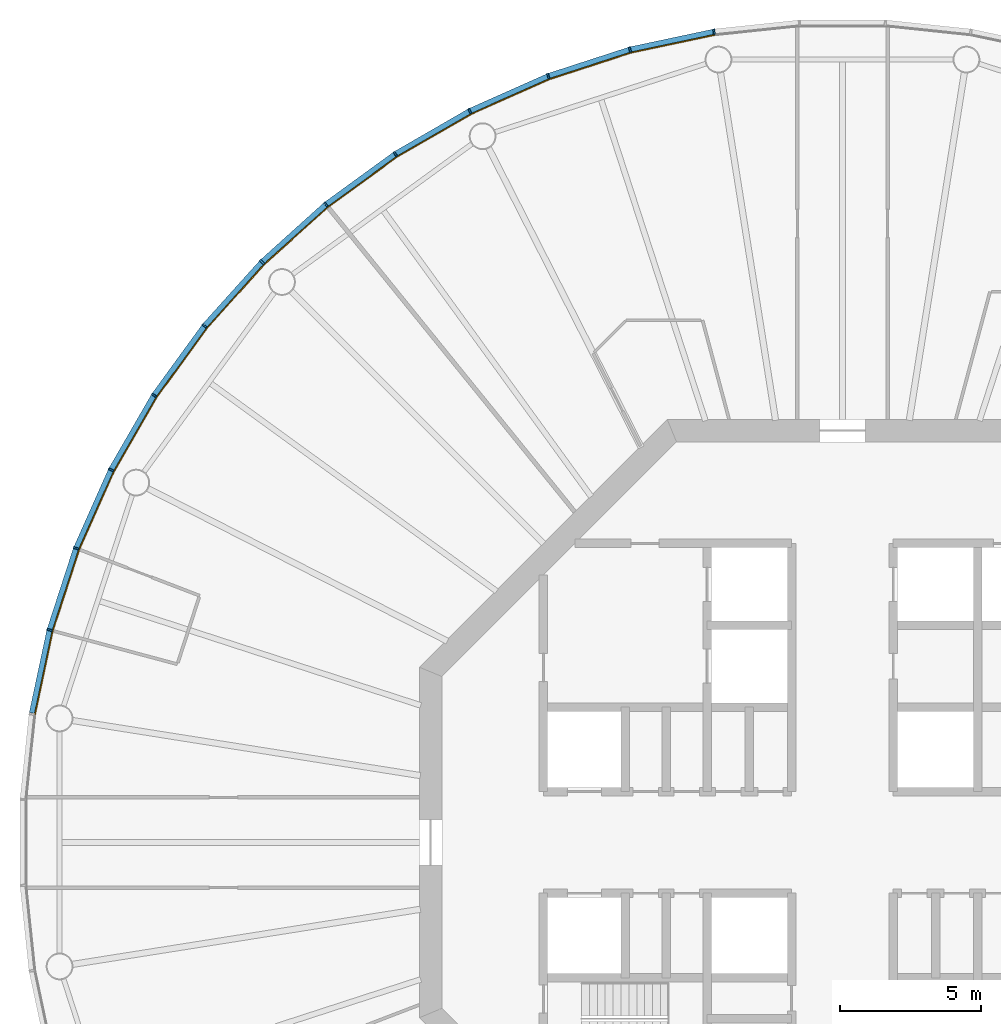
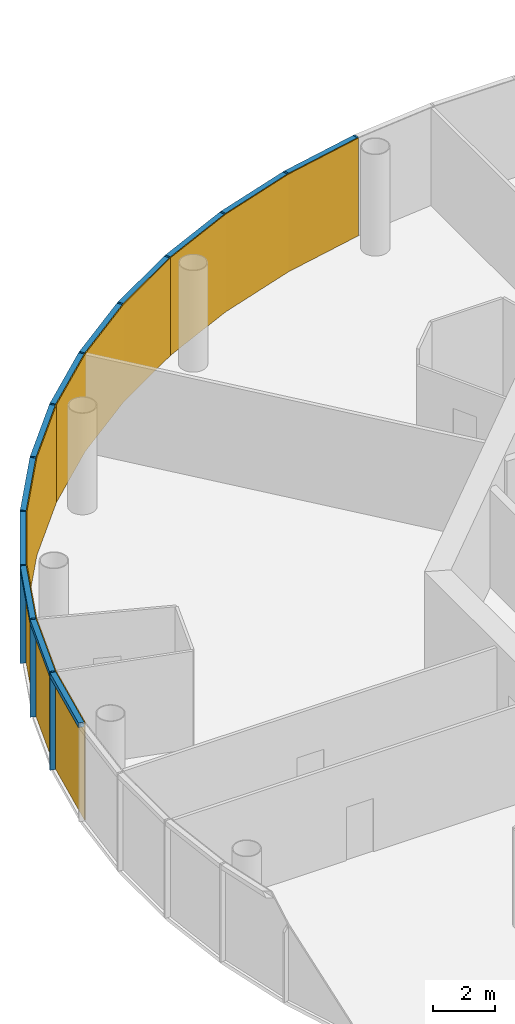
# One storey, part 10 of 13: 24 members, 4 curtain walls.
"""IFC4 building model written with IfcOpenShell, lengths in metres."""

import ifcopenshell
import ifcopenshell.guid

model = None  # the IFC model being written
_history = None  # IfcOwnerHistory: only IFC2X3 demands one
_inside = {}  # id of a spatial element -> (the spatial element, [elements in it])
_under = {}  # id of a project, library or spatial element -> (it, [spatial elements below it])
_declared = {}  # id of a project -> (the project, [libraries it declares])
_typed = {}  # id of a type object -> (the type object, [elements of that type])
_made_of = {}  # id of a material, layer set ... -> (it, [elements and type objects made of it])


def new_model(schema):
    """Start an empty IFC model of exactly this schema.

    Asked for "IFC4X3", IfcOpenShell would pick the latest addendum, in which some entities
    have other attributes; the version numbers below select the first issue.
    IFC2X3 requires an IfcOwnerHistory on every rooted entity: one is made here for all.
    """
    global model, _history
    if schema == "IFC4X3":
        model = ifcopenshell.file(schema_version=(4, 3, 0, 0))
    else:
        model = ifcopenshell.file(schema=schema)
    _inside.clear()
    _under.clear()
    _declared.clear()
    _typed.clear()
    _made_of.clear()
    _history = None
    if model.schema == "IFC2X3":
        org = make("IfcOrganization", Name="unknown")
        user = make(
            "IfcPersonAndOrganization",
            ThePerson=make("IfcPerson", FamilyName="unknown"),
            TheOrganization=org,
        )
        app = make(
            "IfcApplication",
            ApplicationDeveloper=org,
            Version="unknown",
            ApplicationFullName="unknown",
            ApplicationIdentifier="unknown",
        )
        _history = make(
            "IfcOwnerHistory",
            OwningUser=user,
            OwningApplication=app,
            ChangeAction="ADDED",
            CreationDate=0,
        )
    return model


def make(cls, **values):
    """One entity of the class cls with the attributes given. An attribute that is None is left unset."""
    return model.create_entity(
        cls, **{name: value for name, value in values.items() if value is not None}
    )


def rooted(cls, **values):
    """An entity with a GlobalId (a new one), such as an element, a storey or a relation."""
    return make(cls, GlobalId=ifcopenshell.guid.new(), OwnerHistory=_history, **values)


def si_unit(unit_type, name, prefix=None):
    """IfcSIUnit, for example si_unit("LENGTHUNIT", "METRE", prefix="MILLI")."""
    return make("IfcSIUnit", UnitType=unit_type, Prefix=prefix, Name=name)


def assignment(units):
    """IfcUnitAssignment: the units of a project."""
    return None if units is None else make("IfcUnitAssignment", Units=units)


def point(xyz):
    """IfcCartesianPoint."""
    return None if xyz is None else make("IfcCartesianPoint", Coordinates=xyz)


def direction(xyz):
    """IfcDirection."""
    return None if xyz is None else make("IfcDirection", DirectionRatios=xyz)


def frame(location, z_axis=None, x_axis=None):
    """IfcAxis2Placement3D, a coordinate frame: its origin and axes. An axis left out is left unset."""
    return make(
        "IfcAxis2Placement3D",
        Location=point(location),
        Axis=direction(z_axis),
        RefDirection=direction(x_axis),
    )


def frame_2d(location, x_axis=None):
    """IfcAxis2Placement2D, a coordinate frame in the plane: its origin and x axis."""
    return make(
        "IfcAxis2Placement2D", Location=point(location), RefDirection=direction(x_axis)
    )


def origin():
    """The frame at (0, 0, 0) with its axes left unset."""
    return frame((0.0, 0.0, 0.0))


def origin_2d():
    """The frame at (0, 0) in the plane with its x axis left unset."""
    return frame_2d((0.0, 0.0))


def place(relative_to, where):
    """IfcLocalPlacement: puts the frame where relative to a parent placement (None: the world)."""
    return make(
        "IfcLocalPlacement", PlacementRelTo=relative_to, RelativePlacement=where
    )


def context(
    kind, dimensions, precision=None, world=None, true_north=None, identifier=None
):
    """IfcGeometricRepresentationContext, for example the 3D "Model" context."""
    return make(
        "IfcGeometricRepresentationContext",
        ContextIdentifier=identifier,
        ContextType=kind,
        CoordinateSpaceDimension=dimensions,
        Precision=precision,
        WorldCoordinateSystem=world,
        TrueNorth=true_north,
    )


def subcontext(parent, identifier, kind, view, scale=None):
    """IfcGeometricRepresentationSubContext, for example "Body" below "Model"."""
    return make(
        "IfcGeometricRepresentationSubContext",
        ContextIdentifier=identifier,
        ContextType=kind,
        ParentContext=parent,
        TargetScale=scale,
        TargetView=view,
    )


def project(units=None, contexts=None):
    """IfcProject with its units and contexts."""
    return rooted(
        "IfcProject",
        Name="project",
        RepresentationContexts=contexts,
        UnitsInContext=assignment(units),
    )


def spatial(cls, under=None, at=None, **own):
    """A site, building, storey or space (cls), placed at a placement, below another one or the project."""
    s = rooted(cls, ObjectPlacement=at, **own)
    if under is not None:
        _under.setdefault(under.id(), (under, []))[1].append(s)
    return s


def polyline(points):
    """IfcPolyline through the points."""
    return make("IfcPolyline", Points=[point(p) for p in points])


def profile(cls, at=None, kind="AREA", **sizes):
    """A parametric profile (cls). Its sizes go by their IFC names, for example OverallWidth=200.0."""
    return make(cls, ProfileType=kind, Position=at, **sizes)


def rectangle(**sizes):
    """IfcRectangleProfileDef."""
    return profile("IfcRectangleProfileDef", **sizes)


def outline(outer, holes=None, kind="AREA"):
    """IfcArbitraryClosedProfileDef: a profile drawn as a closed curve; with holes, ...WithVoids."""
    if holes is None:
        return make("IfcArbitraryClosedProfileDef", ProfileType=kind, OuterCurve=outer)
    return make(
        "IfcArbitraryProfileDefWithVoids",
        ProfileType=kind,
        OuterCurve=outer,
        InnerCurves=holes,
    )


def extrude(swept, where, along, depth):
    """IfcExtrudedAreaSolid: the profile swept, set in the frame where, extruded along a direction by depth."""
    return make(
        "IfcExtrudedAreaSolid",
        SweptArea=swept,
        Position=where,
        ExtrudedDirection=direction(along),
        Depth=depth,
    )


def shape(context_of_items, identifier, shape_type, items):
    """IfcShapeRepresentation: the items that make up one representation, for example the "Body"."""
    return make(
        "IfcShapeRepresentation",
        ContextOfItems=context_of_items,
        RepresentationIdentifier=identifier,
        RepresentationType=shape_type,
        Items=items,
    )


def material(Name=None, Category=None):
    """IfcMaterial."""
    return make("IfcMaterial", Name=Name, Category=Category)


def layer(
    of_material, thickness, ventilated=None, Name=None, Category=None, Priority=None
):
    """IfcMaterialLayer: one layer of a wall or slab, of a material (None: an air gap)."""
    return make(
        "IfcMaterialLayer",
        Material=of_material,
        LayerThickness=thickness,
        IsVentilated=ventilated,
        Name=Name,
        Category=Category,
        Priority=Priority,
    )


def layer_set(layers, Name=None):
    """IfcMaterialLayerSet."""
    return make("IfcMaterialLayerSet", MaterialLayers=layers, LayerSetName=Name)


def material_profile(
    of_material, cross_section, Name=None, Category=None, Priority=None
):
    """IfcMaterialProfile: a cross section and its material."""
    return make(
        "IfcMaterialProfile",
        Name=Name,
        Material=of_material,
        Profile=cross_section,
        Priority=Priority,
        Category=Category,
    )


def profile_set(profiles, Name=None, composite=None):
    """IfcMaterialProfileSet."""
    return make(
        "IfcMaterialProfileSet",
        Name=Name,
        MaterialProfiles=profiles,
        CompositeProfile=composite,
    )


def made_of(thing, what):
    """Note that an element or type object is made of a material, layer set ...; save() writes the relation."""
    if what is not None:
        _made_of.setdefault(what.id(), (what, []))[1].append(thing)
    return thing


def type_object(cls, material=None, **own):
    """A type object (cls), such as IfcWallType, which elements share."""
    return made_of(rooted(cls, **own), material)


def element(
    cls,
    number,
    at=None,
    inside=None,
    cuts=None,
    type_object=None,
    material=None,
    context=None,
    identifier="Body",
    shape_type=None,
    held_by="IfcProductDefinitionShape",
    body=None,
    shapes=None,
    **own,
):
    """One element of the class cls, such as IfcWall. Its Tag is "e" and its number.

    at: its placement. inside: the storey or other place that contains it. cuts: it is an
    opening in that element (IfcRelVoidsElement). A single representation is given by context,
    identifier, shape_type and body (its items); several are given by shapes. held_by: the class
    of the entity that holds the representations. save() writes the other relations.
    """
    e = rooted(cls, Tag="e%d" % number, ObjectPlacement=at, **own)
    if body is not None:
        shapes = [shape(context, identifier, shape_type, body)]
    if shapes is not None:
        e.Representation = make(held_by, Representations=shapes)
    if inside is not None:
        _inside.setdefault(inside.id(), (inside, []))[1].append(e)
    if cuts is not None:
        rooted(
            "IfcRelVoidsElement", RelatingBuildingElement=cuts, RelatedOpeningElement=e
        )
    if type_object is not None:
        _typed.setdefault(type_object.id(), (type_object, []))[1].append(e)
    return made_of(e, material)


def aggregate(whole, parts):
    """IfcRelAggregates: a whole, such as a stair, and the parts it consists of."""
    return rooted("IfcRelAggregates", RelatingObject=whole, RelatedObjects=parts)


def save(model, path):
    """Write the relations noted so far, then the file.

    IfcRelAggregates (storeys below a building ...), IfcRelContainedInSpatialStructure (elements
    in a storey), IfcRelDefinesByType, IfcRelAssociatesMaterial and IfcRelDeclares: one each for
    every whole, place, type object, material and project.
    """
    for whole, parts in _under.values():
        aggregate(whole, parts)
    for where, things in _inside.values():
        rooted(
            "IfcRelContainedInSpatialStructure",
            RelatedElements=things,
            RelatingStructure=where,
        )
    for kind, things in _typed.values():
        rooted("IfcRelDefinesByType", RelatedObjects=things, RelatingType=kind)
    for what, things in _made_of.values():
        rooted("IfcRelAssociatesMaterial", RelatedObjects=things, RelatingMaterial=what)
    for by, libraries in _declared.values():
        rooted("IfcRelDeclares", RelatingContext=by, RelatedDefinitions=libraries)
    model.write(path)


model = new_model("IFC4")

# Units and contexts
model_context = context("Model", 3, precision=1e-05, world=origin(), true_north=direction((0.0, 1.0)))
body_context = subcontext(model_context, "Body", "Model", "MODEL_VIEW")
ifc_project = project(units=[si_unit("LENGTHUNIT", "METRE"), si_unit("AREAUNIT", "SQUARE_METRE"), si_unit("VOLUMEUNIT", "CUBIC_METRE"), si_unit("PLANEANGLEUNIT", "RADIAN"), si_unit("MASSUNIT", "GRAM", prefix="KILO")], contexts=[model_context])

# Member
ifc_material_1 = material(Name="Anodised aluminium", Category="aluminium")
ifc_material_profile_1 = material_profile(ifc_material_1, rectangle(XDim=0.06494140625, YDim=0.195068359375, at=origin_2d()), Name="Mullion 65 x 195 mm anodised aluminium")
ifc_profile_set_1 = profile_set([ifc_material_profile_1], Name="Anodised aluminium")
member_type_1 = type_object("IfcMemberType", Name="Mullion 65 x 195 mm anodised aluminium", PredefinedType="MULLION", material=ifc_profile_set_1)
site_placement = place(None, origin())
building_placement = place(site_placement, origin())
storey_placement = place(building_placement, frame((0.0, 0.0, 286.0)))
member_1_placement = place(storey_placement, frame((85.4482421875, 108.7392578125, 0.0), z_axis=(0.0, 0.0, 1.0), x_axis=(-0.987688340595, -0.15643446504, 0.0)))
member_1 = element("IfcMember", 1, at=member_1_placement, type_object=member_type_1, Name="MULLION L65-15", PredefinedType="MULLION", context=body_context, shape_type="SweptSolid", body=[
    extrude(rectangle(XDim=0.06494140625, YDim=0.195068359375, at=origin_2d()), origin(), (0.0, 0.0, 1.0), 3.85009765625),
])

member_2_placement = place(storey_placement, frame((82.468994140625, 108.10595703125, 0.0), z_axis=(0.0, 0.0, 1.0), x_axis=(-0.965925826289, -0.258819045103, 0.0)))
member_2 = element("IfcMember", 2, at=member_2_placement, type_object=member_type_1, Name="MULLION L65-16", PredefinedType="MULLION", context=body_context, shape_type="SweptSolid", body=[
    extrude(rectangle(XDim=0.06494140625, YDim=0.195068359375, at=origin_2d()), origin(), (0.0, 0.0, 1.0), 3.85009765625),
])

member_3_placement = place(storey_placement, frame((79.572509765625, 107.164794921875, 0.0), z_axis=(0.0, 0.0, 1.0), x_axis=(-0.933580426497, -0.358367949545, 0.0)))
member_3 = element("IfcMember", 3, at=member_3_placement, type_object=member_type_1, Name="MULLION L65-17", PredefinedType="MULLION", context=body_context, shape_type="SweptSolid", body=[
    extrude(rectangle(XDim=0.06494140625, YDim=0.195068359375, at=origin_2d()), origin(), (0.0, 0.0, 1.0), 3.85009765625),
])

member_4_placement = place(storey_placement, frame((76.7900390625, 105.926025390625, 0.0), z_axis=(0.0, 0.0, 1.0), x_axis=(-0.891006524188, -0.45399049974, 0.0)))
member_4 = element("IfcMember", 4, at=member_4_placement, type_object=member_type_1, Name="MULLION L65-18", PredefinedType="MULLION", context=body_context, shape_type="SweptSolid", body=[
    extrude(rectangle(XDim=0.06494140625, YDim=0.195068359375, at=origin_2d()), origin(), (0.0, 0.0, 1.0), 3.85009765625),
])

member_5_placement = place(storey_placement, frame((74.15234375, 104.4033203125, 0.0), z_axis=(0.0, 0.0, 1.0), x_axis=(-0.838670567945, -0.544639035015, 0.0)))
member_5 = element("IfcMember", 5, at=member_5_placement, type_object=member_type_1, Name="MULLION L65-19", PredefinedType="MULLION", context=body_context, shape_type="SweptSolid", body=[
    extrude(rectangle(XDim=0.06494140625, YDim=0.195068359375, at=origin_2d()), origin(), (0.0, 0.0, 1.0), 3.85009765625),
])

member_6_placement = place(storey_placement, frame((71.688232421875, 102.613037109375, 0.0), z_axis=(0.0, 0.0, 1.0), x_axis=(-0.777145961457, -0.62932039105, 0.0)))
member_6 = element("IfcMember", 6, at=member_6_placement, type_object=member_type_1, Name="MULLION L65-20", PredefinedType="MULLION", context=body_context, shape_type="SweptSolid", body=[
    extrude(rectangle(XDim=0.06494140625, YDim=0.195068359375, at=origin_2d()), origin(), (0.0, 0.0, 1.0), 3.85009765625),
])

member_7_placement = place(storey_placement, frame((69.425048828125, 100.574951171875, 0.0), z_axis=(0.0, 0.0, 1.0), x_axis=(-0.707106781187, -0.707106781187, 0.0)))
member_7 = element("IfcMember", 7, at=member_7_placement, type_object=member_type_1, Name="MULLION L65-21", PredefinedType="MULLION", context=body_context, shape_type="SweptSolid", body=[
    extrude(rectangle(XDim=0.06494140625, YDim=0.195068359375, at=origin_2d()), origin(), (0.0, 0.0, 1.0), 3.85009765625),
])

member_8_placement = place(storey_placement, frame((67.386962890625, 98.311767578125, 0.0), z_axis=(0.0, 0.0, 1.0), x_axis=(-0.62932039105, -0.777145961457, 0.0)))
member_8 = element("IfcMember", 8, at=member_8_placement, type_object=member_type_1, Name="MULLION L65-22", PredefinedType="MULLION", context=body_context, shape_type="SweptSolid", body=[
    extrude(rectangle(XDim=0.06494140625, YDim=0.195068359375, at=origin_2d()), origin(), (0.0, 0.0, 1.0), 3.85009765625),
])

member_9_placement = place(storey_placement, frame((65.5966796875, 95.84765625, 0.0), z_axis=(0.0, 0.0, 1.0), x_axis=(-0.544639035015, -0.838670567945, 0.0)))
member_9 = element("IfcMember", 9, at=member_9_placement, type_object=member_type_1, Name="MULLION L65-23", PredefinedType="MULLION", context=body_context, shape_type="SweptSolid", body=[
    extrude(rectangle(XDim=0.06494140625, YDim=0.195068359375, at=origin_2d()), origin(), (0.0, 0.0, 1.0), 3.85009765625),
])

member_10_placement = place(storey_placement, frame((64.073974609375, 93.2099609375, 0.0), z_axis=(0.0, 0.0, 1.0), x_axis=(-0.45399049974, -0.891006524188, 0.0)))
member_10 = element("IfcMember", 10, at=member_10_placement, type_object=member_type_1, Name="MULLION L65-24", PredefinedType="MULLION", context=body_context, shape_type="SweptSolid", body=[
    extrude(rectangle(XDim=0.06494140625, YDim=0.195068359375, at=origin_2d()), origin(), (0.0, 0.0, 1.0), 3.85009765625),
])

member_11_placement = place(storey_placement, frame((62.835205078125, 90.427490234375, 0.0), z_axis=(0.0, 0.0, 1.0), x_axis=(-0.358367949545, -0.933580426497, 0.0)))
member_11 = element("IfcMember", 11, at=member_11_placement, type_object=member_type_1, Name="MULLION L65-25", PredefinedType="MULLION", context=body_context, shape_type="SweptSolid", body=[
    extrude(rectangle(XDim=0.06494140625, YDim=0.195068359375, at=origin_2d()), origin(), (0.0, 0.0, 1.0), 3.85009765625),
])

member_12_placement = place(storey_placement, frame((61.89404296875, 87.531005859375, 0.0), z_axis=(0.0, 0.0, 1.0), x_axis=(-0.258819045103, -0.965925826289, 0.0)))
member_12 = element("IfcMember", 12, at=member_12_placement, type_object=member_type_1, Name="MULLION L65-26", PredefinedType="MULLION", context=body_context, shape_type="SweptSolid", body=[
    extrude(rectangle(XDim=0.06494140625, YDim=0.195068359375, at=origin_2d()), origin(), (0.0, 0.0, 1.0), 3.85009765625),
])

ifc_material_2 = material(Name="Anodised aluminium", Category="aluminium")
ifc_material_profile_2 = material_profile(ifc_material_2, rectangle(XDim=0.195068359375, YDim=0.179931640625, at=origin_2d()), Name="Transom 180 x 195 mm anodised aluminium")
ifc_profile_set_2 = profile_set([ifc_material_profile_2], Name="Anodised aluminium")
member_type_2 = type_object("IfcMemberType", Name="Transom 180 x 195 mm anodised aluminium", PredefinedType="USERDEFINED", material=ifc_profile_set_2)
member_13_placement = place(storey_placement, frame((85.411376953125, 108.731689453125, 3.760009765625), z_axis=(-0.978141510112, -0.207940342877, 0.0), x_axis=(0.207940342877, -0.978141510112, 0.0)))
member_13 = element("IfcMember", 13, at=member_13_placement, type_object=member_type_2, Name="TRANSOM L65-15", ObjectType="TRANSOM", PredefinedType="USERDEFINED", context=body_context, shape_type="SweptSolid", body=[
    extrude(rectangle(XDim=0.195068359375, YDim=0.179931640625, at=origin_2d()), origin(), (0.0, 0.0, 1.0), 2.970458984375),
])

member_14_placement = place(storey_placement, frame((82.43310546875, 108.094482421875, 3.760009765625), z_axis=(-0.951047960094, -0.309043326415, 0.0), x_axis=(0.309043326415, -0.951047960094, 0.0)))
member_14 = element("IfcMember", 14, at=member_14_placement, type_object=member_type_2, Name="TRANSOM L65-16", ObjectType="TRANSOM", PredefinedType="USERDEFINED", context=body_context, shape_type="SweptSolid", body=[
    extrude(rectangle(XDim=0.195068359375, YDim=0.179931640625, at=origin_2d()), origin(), (0.0, 0.0, 1.0), 2.970458984375),
])

member_15_placement = place(storey_placement, frame((79.5380859375, 107.149658203125, 3.760009765625), z_axis=(-0.913550406593, -0.406725527369, 0.0), x_axis=(0.406725527369, -0.913550406593, 0.0)))
member_15 = element("IfcMember", 15, at=member_15_placement, type_object=member_type_2, Name="TRANSOM L65-17", ObjectType="TRANSOM", PredefinedType="USERDEFINED", context=body_context, shape_type="SweptSolid", body=[
    extrude(rectangle(XDim=0.195068359375, YDim=0.179931640625, at=origin_2d()), origin(), (0.0, 0.0, 1.0), 2.970703125),
])

member_16_placement = place(storey_placement, frame((76.75732421875, 105.907470703125, 3.760009765625), z_axis=(-0.866009025146, -0.500028367561, 0.0), x_axis=(0.500028367561, -0.866009025146, 0.0)))
member_16 = element("IfcMember", 16, at=member_16_placement, type_object=member_type_2, Name="TRANSOM L65-18", ObjectType="TRANSOM", PredefinedType="USERDEFINED", context=body_context, shape_type="SweptSolid", body=[
    extrude(rectangle(XDim=0.195068359375, YDim=0.179931640625, at=origin_2d()), origin(), (0.0, 0.0, 1.0), 2.970458984375),
])

member_17_placement = place(storey_placement, frame((74.121826171875, 104.381103515625, 3.760009765625), z_axis=(-0.809030990733, -0.587765987476, 0.0), x_axis=(0.587765987476, -0.809030990733, 0.0)))
member_17 = element("IfcMember", 17, at=member_17_placement, type_object=member_type_2, Name="TRANSOM L65-19", ObjectType="TRANSOM", PredefinedType="USERDEFINED", context=body_context, shape_type="SweptSolid", body=[
    extrude(rectangle(XDim=0.195068359375, YDim=0.179931640625, at=origin_2d()), origin(), (0.0, 0.0, 1.0), 2.97021484375),
])

member_18_placement = place(storey_placement, frame((71.660400390625, 102.587890625, 3.760009765625), z_axis=(-0.743163354343, -0.669110027395, 0.0), x_axis=(0.669110027395, -0.743163354343, 0.0)))
member_18 = element("IfcMember", 18, at=member_18_placement, type_object=member_type_2, Name="TRANSOM L65-20", ObjectType="TRANSOM", PredefinedType="USERDEFINED", context=body_context, shape_type="SweptSolid", body=[
    extrude(rectangle(XDim=0.195068359375, YDim=0.179931640625, at=origin_2d()), origin(), (0.0, 0.0, 1.0), 2.970458984375),
])

member_19_placement = place(storey_placement, frame((69.399658203125, 100.547119140625, 3.760009765625), z_axis=(-0.669110027395, -0.743163354343, 0.0), x_axis=(0.743163354343, -0.669110027395, 0.0)))
member_19 = element("IfcMember", 19, at=member_19_placement, type_object=member_type_2, Name="TRANSOM L65-21", ObjectType="TRANSOM", PredefinedType="USERDEFINED", context=body_context, shape_type="SweptSolid", body=[
    extrude(rectangle(XDim=0.195068359375, YDim=0.179931640625, at=origin_2d()), origin(), (0.0, 0.0, 1.0), 2.970458984375),
])

member_20_placement = place(storey_placement, frame((67.36474609375, 98.28125, 3.760009765625), z_axis=(-0.587765987476, -0.809030990733, 0.0), x_axis=(0.809030990733, -0.587765987476, 0.0)))
member_20 = element("IfcMember", 20, at=member_20_placement, type_object=member_type_2, Name="TRANSOM L65-22", ObjectType="TRANSOM", PredefinedType="USERDEFINED", context=body_context, shape_type="SweptSolid", body=[
    extrude(rectangle(XDim=0.195068359375, YDim=0.179931640625, at=origin_2d()), origin(), (0.0, 0.0, 1.0), 2.97021484375),
])

member_21_placement = place(storey_placement, frame((65.577880859375, 95.815185546875, 3.760009765625), z_axis=(-0.500028367561, -0.866009025146, 0.0), x_axis=(0.866009025146, -0.500028367561, 0.0)))
member_21 = element("IfcMember", 21, at=member_21_placement, type_object=member_type_2, Name="TRANSOM L65-23", ObjectType="TRANSOM", PredefinedType="USERDEFINED", context=body_context, shape_type="SweptSolid", body=[
    extrude(rectangle(XDim=0.195068359375, YDim=0.179931640625, at=origin_2d()), origin(), (0.0, 0.0, 1.0), 2.970458984375),
])

member_22_placement = place(storey_placement, frame((64.05859375, 93.17578125, 3.760009765625), z_axis=(-0.406725527369, -0.913550406593, 0.0), x_axis=(0.913550406593, -0.406725527369, 0.0)))
member_22 = element("IfcMember", 22, at=member_22_placement, type_object=member_type_2, Name="TRANSOM L65-24", ObjectType="TRANSOM", PredefinedType="USERDEFINED", context=body_context, shape_type="SweptSolid", body=[
    extrude(rectangle(XDim=0.195068359375, YDim=0.179931640625, at=origin_2d()), origin(), (0.0, 0.0, 1.0), 2.970703125),
])

member_23_placement = place(storey_placement, frame((62.823486328125, 90.391845703125, 3.760009765625), z_axis=(-0.309043326415, -0.951047960094, 0.0), x_axis=(0.951047960094, -0.309043326415, 0.0)))
member_23 = element("IfcMember", 23, at=member_23_placement, type_object=member_type_2, Name="TRANSOM L65-25", ObjectType="TRANSOM", PredefinedType="USERDEFINED", context=body_context, shape_type="SweptSolid", body=[
    extrude(rectangle(XDim=0.195068359375, YDim=0.179931640625, at=origin_2d()), origin(), (0.0, 0.0, 1.0), 2.970458984375),
])

member_24_placement = place(storey_placement, frame((61.885986328125, 87.494140625, 3.760009765625), z_axis=(-0.207940342877, -0.978141510112, 0.0), x_axis=(0.978141510112, -0.207940342877, 0.0)))
member_24 = element("IfcMember", 24, at=member_24_placement, type_object=member_type_2, Name="TRANSOM L65-26", ObjectType="TRANSOM", PredefinedType="USERDEFINED", context=body_context, shape_type="SweptSolid", body=[
    extrude(rectangle(XDim=0.195068359375, YDim=0.179931640625, at=origin_2d()), origin(), (0.0, 0.0, 1.0), 2.970458984375),
])

# Site, building, storey
site = spatial("IfcSite", under=ifc_project, at=site_placement, CompositionType="ELEMENT")
building = spatial("IfcBuilding", under=site, at=building_placement, Name="Entoto Ring Tower", CompositionType="ELEMENT")
storey = spatial("IfcBuildingStorey", under=building, at=storey_placement, Name="L65", CompositionType="ELEMENT", Elevation=286.0)

# Curtain wall
ifc_material_3 = material(Name="Clear low-iron glass", Category="glass")
ifc_layer = layer(ifc_material_3, 0.033935546875)
ifc_layer_set = layer_set([ifc_layer], Name="Clear low-iron glass")
curtain_wall_type = type_object("IfcCurtainWallType", Name="Curtain wall system CW5 glazing 34 mm", PredefinedType="NOTDEFINED", material=ifc_layer_set)
curtain_wall_1_placement = place(storey_placement, origin())
curtain_wall_1 = element("IfcCurtainWall", 25, at=curtain_wall_1_placement, inside=storey, type_object=curtain_wall_type, Name="CW5 L65-06", PredefinedType="NOTDEFINED", context=body_context, shape_type="SweptSolid", body=[
    extrude(outline(polyline([(85.46337890625, 108.64306640625), (82.494140625, 108.011962890625), (79.607421875, 107.07373046875), (76.834228515625, 105.839111328125), (76.849853515625, 105.808837890625), (79.61962890625, 107.0419921875), (82.503173828125, 107.97900390625), (85.46875, 108.609375), (85.46337890625, 108.64306640625)])), origin(), (0.0, 0.0, 1.0), 3.85009765625),
])

aggregate(curtain_wall_1, [member_1, member_2, member_3, member_13, member_14, member_15])

curtain_wall_2_placement = place(storey_placement, origin())
curtain_wall_2 = element("IfcCurtainWall", 26, at=curtain_wall_2_placement, inside=storey, type_object=curtain_wall_type, Name="CW5 L65-07", PredefinedType="NOTDEFINED", context=body_context, shape_type="SweptSolid", body=[
    extrude(outline(polyline([(76.834228515625, 105.839111328125), (74.20556640625, 104.321533203125), (71.749755859375, 102.537353515625), (69.493896484375, 100.506103515625), (69.51806640625, 100.48193359375), (71.771240234375, 102.5107421875), (74.22412109375, 104.29296875), (76.849853515625, 105.808837890625), (76.834228515625, 105.839111328125)])), origin(), (0.0, 0.0, 1.0), 3.85009765625),
])

aggregate(curtain_wall_2, [member_4, member_5, member_6, member_16, member_17, member_18])

curtain_wall_3_placement = place(storey_placement, origin())
curtain_wall_3 = element("IfcCurtainWall", 27, at=curtain_wall_3_placement, inside=storey, type_object=curtain_wall_type, Name="CW5 L65-08", PredefinedType="NOTDEFINED", context=body_context, shape_type="SweptSolid", body=[
    extrude(outline(polyline([(69.493896484375, 100.506103515625), (67.462646484375, 98.250244140625), (65.678466796875, 95.79443359375), (64.160888671875, 93.165771484375), (64.191162109375, 93.150146484375), (65.70703125, 95.77587890625), (67.4892578125, 98.228759765625), (69.51806640625, 100.48193359375), (69.493896484375, 100.506103515625)])), origin(), (0.0, 0.0, 1.0), 3.85009765625),
])

aggregate(curtain_wall_3, [member_7, member_8, member_9, member_19, member_20, member_21])

curtain_wall_4_placement = place(storey_placement, origin())
curtain_wall_4 = element("IfcCurtainWall", 28, at=curtain_wall_4_placement, inside=storey, type_object=curtain_wall_type, Name="CW5 L65-09", PredefinedType="NOTDEFINED", context=body_context, shape_type="SweptSolid", body=[
    extrude(outline(polyline([(64.160888671875, 93.165771484375), (62.92626953125, 90.392578125), (61.988037109375, 87.505859375), (61.35693359375, 84.53662109375), (61.390625, 84.53125), (62.02099609375, 87.496826171875), (62.9580078125, 90.38037109375), (64.191162109375, 93.150146484375), (64.160888671875, 93.165771484375)])), origin(), (0.0, 0.0, 1.0), 3.85009765625),
])

aggregate(curtain_wall_4, [member_10, member_11, member_12, member_22, member_23, member_24])

save(model, "model.ifc")
